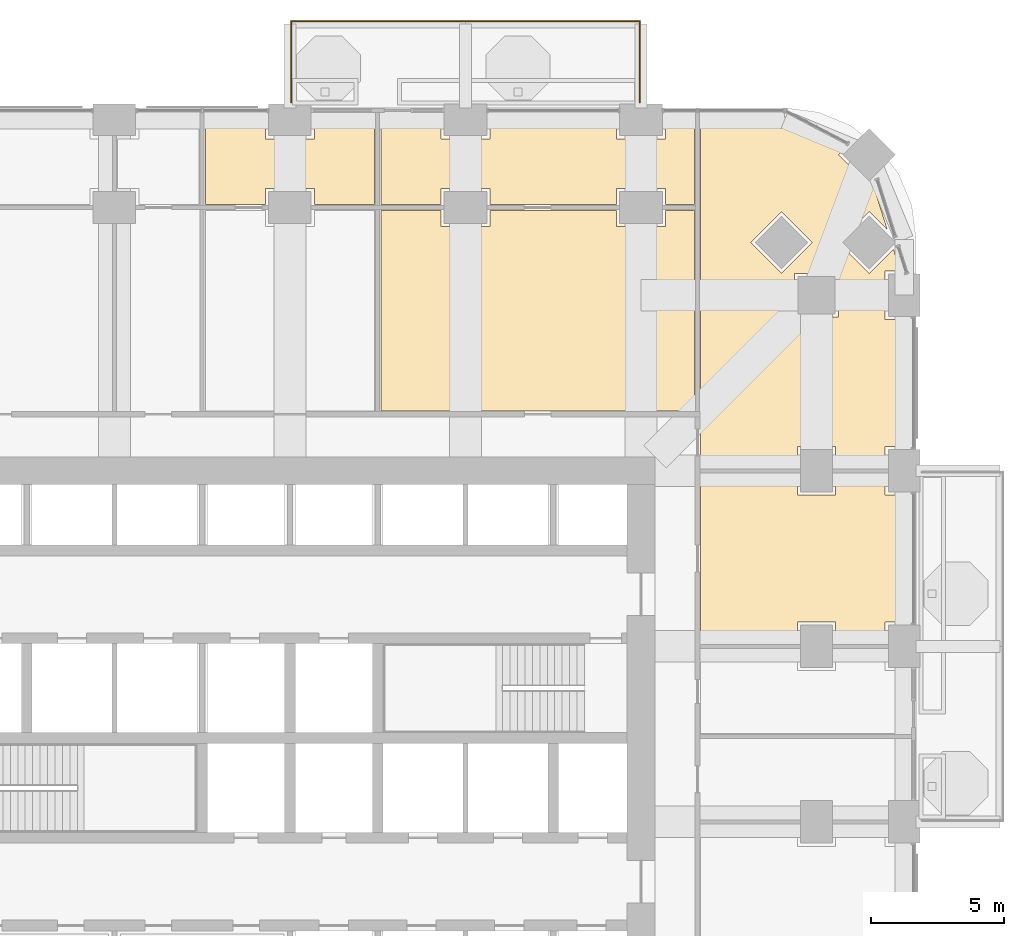
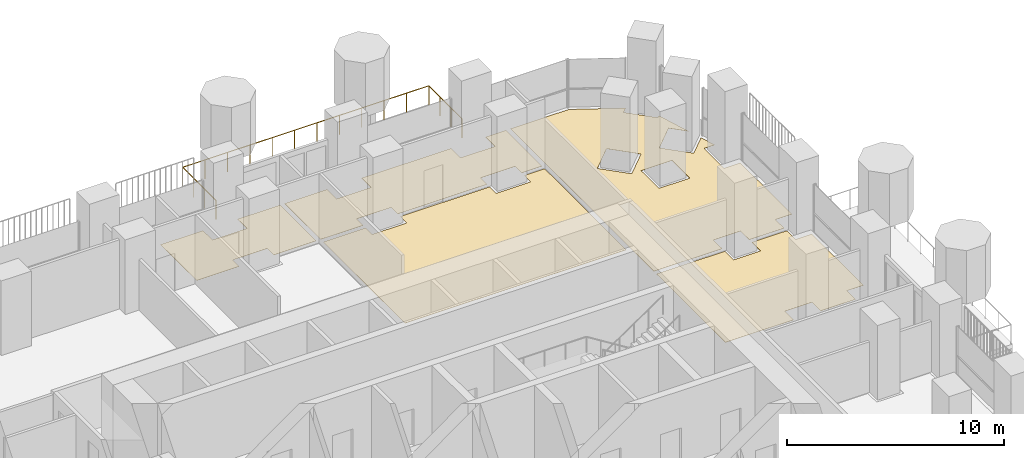
# One storey, part 20 of 21: 5 coverings, 1 railing.
"""IFC4 building model written with IfcOpenShell, lengths in metres."""

from ifc_helpers import new_model, si_unit, direction, frame, origin, place, context, subcontext, project, spatial, polyline, outline, extrude, material, layer, layer_set, type_object, element, save


model = new_model("IFC4")

# Units and contexts
model_context = context("Model", 3, precision=1e-05, world=origin(), true_north=direction((0.0, 1.0)))
body_context = subcontext(model_context, "Body", "Model", "MODEL_VIEW")
ifc_project = project(units=[si_unit("LENGTHUNIT", "METRE"), si_unit("AREAUNIT", "SQUARE_METRE"), si_unit("VOLUMEUNIT", "CUBIC_METRE"), si_unit("PLANEANGLEUNIT", "RADIAN"), si_unit("MASSUNIT", "GRAM", prefix="KILO")], contexts=[model_context])

# Site, building, storey
site_placement = place(None, origin())
site = spatial("IfcSite", under=ifc_project, at=site_placement, CompositionType="ELEMENT")
building_placement = place(site_placement, origin())
building = spatial("IfcBuilding", under=site, at=building_placement, Name="Cobogo Forest Laboratory Tower", CompositionType="ELEMENT")
storey_placement = place(building_placement, frame((0.0, 0.0, 86.39990234375)))
storey = spatial("IfcBuildingStorey", under=building, at=storey_placement, Name="L19", CompositionType="ELEMENT", Elevation=86.39990234375)

# Railing
ifc_material_1 = material(Name="Laminated glass balustrade", Category="glass")
railing_type = type_object("IfcRailingType", Name="BG1 glass balustrade 1100", PredefinedType="GUARDRAIL", material=ifc_material_1)
railing_placement = place(storey_placement, frame((26.449951171875, 46.85009765625, 0.0)))
element("IfcRailing", 1, at=railing_placement, inside=storey, type_object=railing_type, Name="Balcony balustrade BAL-N1 L19", PredefinedType="GUARDRAIL", context=body_context, shape_type="SweptSolid", body=[
    extrude(outline(polyline([(0.022216796875, 0.00927734375), (0.00927734375, 0.022216796875), (-0.00927734375, 0.022216796875), (-0.022216796875, 0.00927734375), (-0.022216796875, -0.00927734375), (-0.00927734375, -0.022216796875), (0.00927734375, -0.022216796875), (0.022216796875, -0.00927734375), (0.022216796875, 0.00927734375)])), frame((0.0, 0.0, 1.077880859375), z_axis=(0.0, 1.0, 0.0), x_axis=(-1.0, 0.0, 0.0)), (0.0, 0.0, 1.0), 3.0498046875),
    extrude(outline(polyline([(0.022216796875, 0.00927734375), (0.00927734375, 0.022216796875), (-0.00927734375, 0.022216796875), (-0.022216796875, 0.00927734375), (-0.022216796875, -0.00927734375), (-0.00927734375, -0.022216796875), (0.00927734375, -0.022216796875), (0.022216796875, -0.00927734375), (0.022216796875, 0.00927734375)])), frame((0.0, 3.0498046875, 1.077880859375), z_axis=(1.0, 0.0, 0.0), x_axis=(0.0, 1.0, 0.0)), (0.0, 0.0, 1.0), 13.10009765625),
    extrude(outline(polyline([(0.022216796875, 0.00927734375), (0.00927734375, 0.022216796875), (-0.00927734375, 0.022216796875), (-0.022216796875, 0.00927734375), (-0.022216796875, -0.00927734375), (-0.00927734375, -0.022216796875), (0.00927734375, -0.022216796875), (0.022216796875, -0.00927734375), (0.022216796875, 0.00927734375)])), frame((13.10009765625, 3.0498046875, 1.077880859375), z_axis=(0.0, -1.0, 0.0), x_axis=(1.0, 0.0, 0.0)), (0.0, 0.0, 1.0), 3.0498046875),
    extrude(outline(polyline([(0.019287109375, 0.008056640625), (0.008056640625, 0.019287109375), (-0.008056640625, 0.019287109375), (-0.019287109375, 0.008056640625), (-0.019287109375, -0.008056640625), (-0.008056640625, -0.019287109375), (0.008056640625, -0.019287109375), (0.019287109375, -0.008056640625), (0.019287109375, 0.008056640625)])), origin(), (0.0, 0.0, 1.0), 1.077880859375),
    extrude(outline(polyline([(0.019287109375, 0.008056640625), (0.008056640625, 0.019287109375), (-0.008056640625, 0.019287109375), (-0.019287109375, 0.008056640625), (-0.019287109375, -0.008056640625), (-0.008056640625, -0.019287109375), (0.008056640625, -0.019287109375), (0.019287109375, -0.008056640625), (0.019287109375, 0.008056640625)])), frame((0.0, 1.0166015625, 0.0)), (0.0, 0.0, 1.0), 1.077880859375),
    extrude(outline(polyline([(0.019287109375, 0.008056640625), (0.008056640625, 0.019287109375), (-0.008056640625, 0.019287109375), (-0.019287109375, 0.008056640625), (-0.019287109375, -0.008056640625), (-0.008056640625, -0.019287109375), (0.008056640625, -0.019287109375), (0.019287109375, -0.008056640625), (0.019287109375, 0.008056640625)])), frame((0.0, 2.033203125, 0.0)), (0.0, 0.0, 1.0), 1.077880859375),
    extrude(outline(polyline([(0.019287109375, 0.008056640625), (0.008056640625, 0.019287109375), (-0.008056640625, 0.019287109375), (-0.019287109375, 0.008056640625), (-0.019287109375, -0.008056640625), (-0.008056640625, -0.019287109375), (0.008056640625, -0.019287109375), (0.019287109375, -0.008056640625), (0.019287109375, 0.008056640625)])), frame((0.0, 3.0498046875, 0.0)), (0.0, 0.0, 1.0), 1.077880859375),
    extrude(outline(polyline([(0.019287109375, 0.008056640625), (0.008056640625, 0.019287109375), (-0.008056640625, 0.019287109375), (-0.019287109375, 0.008056640625), (-0.019287109375, -0.008056640625), (-0.008056640625, -0.019287109375), (0.008056640625, -0.019287109375), (0.019287109375, -0.008056640625), (0.019287109375, 0.008056640625)])), frame((1.19091796875, 3.0498046875, 0.0)), (0.0, 0.0, 1.0), 1.077880859375),
    extrude(outline(polyline([(0.019287109375, 0.008056640625), (0.008056640625, 0.019287109375), (-0.008056640625, 0.019287109375), (-0.019287109375, 0.008056640625), (-0.019287109375, -0.008056640625), (-0.008056640625, -0.019287109375), (0.008056640625, -0.019287109375), (0.019287109375, -0.008056640625), (0.019287109375, 0.008056640625)])), frame((2.3818359375, 3.0498046875, 0.0)), (0.0, 0.0, 1.0), 1.077880859375),
    extrude(outline(polyline([(0.019287109375, 0.008056640625), (0.008056640625, 0.019287109375), (-0.008056640625, 0.019287109375), (-0.019287109375, 0.008056640625), (-0.019287109375, -0.008056640625), (-0.008056640625, -0.019287109375), (0.008056640625, -0.019287109375), (0.019287109375, -0.008056640625), (0.019287109375, 0.008056640625)])), frame((3.57275390625, 3.0498046875, 0.0)), (0.0, 0.0, 1.0), 1.077880859375),
    extrude(outline(polyline([(0.019287109375, 0.008056640625), (0.008056640625, 0.019287109375), (-0.008056640625, 0.019287109375), (-0.019287109375, 0.008056640625), (-0.019287109375, -0.008056640625), (-0.008056640625, -0.019287109375), (0.008056640625, -0.019287109375), (0.019287109375, -0.008056640625), (0.019287109375, 0.008056640625)])), frame((4.763671875, 3.0498046875, 0.0)), (0.0, 0.0, 1.0), 1.077880859375),
    extrude(outline(polyline([(0.019287109375, 0.008056640625), (0.008056640625, 0.019287109375), (-0.008056640625, 0.019287109375), (-0.019287109375, 0.008056640625), (-0.019287109375, -0.008056640625), (-0.008056640625, -0.019287109375), (0.008056640625, -0.019287109375), (0.019287109375, -0.008056640625), (0.019287109375, 0.008056640625)])), frame((5.95458984375, 3.0498046875, 0.0)), (0.0, 0.0, 1.0), 1.077880859375),
    extrude(outline(polyline([(0.019287109375, 0.008056640625), (0.008056640625, 0.019287109375), (-0.008056640625, 0.019287109375), (-0.019287109375, 0.008056640625), (-0.019287109375, -0.008056640625), (-0.008056640625, -0.019287109375), (0.008056640625, -0.019287109375), (0.019287109375, -0.008056640625), (0.019287109375, 0.008056640625)])), frame((7.1455078125, 3.0498046875, 0.0)), (0.0, 0.0, 1.0), 1.077880859375),
    extrude(outline(polyline([(0.019287109375, 0.008056640625), (0.008056640625, 0.019287109375), (-0.008056640625, 0.019287109375), (-0.019287109375, 0.008056640625), (-0.019287109375, -0.008056640625), (-0.008056640625, -0.019287109375), (0.008056640625, -0.019287109375), (0.019287109375, -0.008056640625), (0.019287109375, 0.008056640625)])), frame((8.33642578125, 3.0498046875, 0.0)), (0.0, 0.0, 1.0), 1.077880859375),
    extrude(outline(polyline([(0.019287109375, 0.008056640625), (0.008056640625, 0.019287109375), (-0.008056640625, 0.019287109375), (-0.019287109375, 0.008056640625), (-0.019287109375, -0.008056640625), (-0.008056640625, -0.019287109375), (0.008056640625, -0.019287109375), (0.019287109375, -0.008056640625), (0.019287109375, 0.008056640625)])), frame((9.52734375, 3.0498046875, 0.0)), (0.0, 0.0, 1.0), 1.077880859375),
    extrude(outline(polyline([(0.019287109375, 0.008056640625), (0.008056640625, 0.019287109375), (-0.008056640625, 0.019287109375), (-0.019287109375, 0.008056640625), (-0.019287109375, -0.008056640625), (-0.008056640625, -0.019287109375), (0.008056640625, -0.019287109375), (0.019287109375, -0.008056640625), (0.019287109375, 0.008056640625)])), frame((10.71826171875, 3.0498046875, 0.0)), (0.0, 0.0, 1.0), 1.077880859375),
    extrude(outline(polyline([(0.019287109375, 0.008056640625), (0.008056640625, 0.019287109375), (-0.008056640625, 0.019287109375), (-0.019287109375, 0.008056640625), (-0.019287109375, -0.008056640625), (-0.008056640625, -0.019287109375), (0.008056640625, -0.019287109375), (0.019287109375, -0.008056640625), (0.019287109375, 0.008056640625)])), frame((11.9091796875, 3.0498046875, 0.0)), (0.0, 0.0, 1.0), 1.077880859375),
    extrude(outline(polyline([(0.019287109375, 0.008056640625), (0.008056640625, 0.019287109375), (-0.008056640625, 0.019287109375), (-0.019287109375, 0.008056640625), (-0.019287109375, -0.008056640625), (-0.008056640625, -0.019287109375), (0.008056640625, -0.019287109375), (0.019287109375, -0.008056640625), (0.019287109375, 0.008056640625)])), frame((13.10009765625, 3.0498046875, 0.0)), (0.0, 0.0, 1.0), 1.077880859375),
    extrude(outline(polyline([(0.019287109375, 0.008056640625), (0.008056640625, 0.019287109375), (-0.008056640625, 0.019287109375), (-0.019287109375, 0.008056640625), (-0.019287109375, -0.008056640625), (-0.008056640625, -0.019287109375), (0.008056640625, -0.019287109375), (0.019287109375, -0.008056640625), (0.019287109375, 0.008056640625)])), frame((13.10009765625, 2.033203125, 0.0)), (0.0, 0.0, 1.0), 1.077880859375),
    extrude(outline(polyline([(0.019287109375, 0.008056640625), (0.008056640625, 0.019287109375), (-0.008056640625, 0.019287109375), (-0.019287109375, 0.008056640625), (-0.019287109375, -0.008056640625), (-0.008056640625, -0.019287109375), (0.008056640625, -0.019287109375), (0.019287109375, -0.008056640625), (0.019287109375, 0.008056640625)])), frame((13.10009765625, 1.0166015625, 0.0)), (0.0, 0.0, 1.0), 1.077880859375),
    extrude(outline(polyline([(0.019287109375, 0.008056640625), (0.008056640625, 0.019287109375), (-0.008056640625, 0.019287109375), (-0.019287109375, 0.008056640625), (-0.019287109375, -0.008056640625), (-0.008056640625, -0.019287109375), (0.008056640625, -0.019287109375), (0.019287109375, -0.008056640625), (0.019287109375, 0.008056640625)])), frame((13.10009765625, 0.0, 0.0)), (0.0, 0.0, 1.0), 1.077880859375),
])

# Coverings
ifc_material_2 = material(Name="Carpet tile on raised access floor", Category="flooring")
ifc_layer_1 = layer(ifc_material_2, 0.008056640625)
ifc_layer_set_1 = layer_set([ifc_layer_1], Name="CT1 carpet tile floor 8")
covering_type_1 = type_object("IfcCoveringType", Name="CT1 carpet tile floor 8", PredefinedType="FLOORING", material=ifc_layer_set_1)
covering_1_placement = place(storey_placement, origin())
element("IfcCovering", 2, at=covering_1_placement, inside=storey, type_object=covering_type_1, Name="Carpet floor L19-13", PredefinedType="FLOORING", context=body_context, shape_type="SweptSolid", body=[
    extrude(outline(polyline([(41.844970703125, 32.8798828125), (45.47998046875, 32.8798828125), (45.47998046875, 32.080078125), (46.919921875, 32.080078125), (46.919921875, 32.8798828125), (48.780029296875, 32.8798828125), (48.780029296875, 32.080078125), (49.64990234375, 32.080078125), (49.64990234375, 27.320068359375), (48.780029296875, 27.320068359375), (48.780029296875, 26.52001953125), (46.919921875, 26.52001953125), (46.919921875, 27.320068359375), (45.47998046875, 27.320068359375), (45.47998046875, 26.52001953125), (41.844970703125, 26.52001953125), (41.844970703125, 32.8798828125)])), origin(), (0.0, 0.0, 1.0), 0.008056640625),
])
covering_2_placement = place(storey_placement, origin())
element("IfcCovering", 3, at=covering_2_placement, inside=storey, type_object=covering_type_1, Name="Carpet floor L19-14", PredefinedType="FLOORING", context=body_context, shape_type="SweptSolid", body=[
    extrude(outline(polyline([(41.844970703125, 46.35009765625), (44.95068359375, 46.35009765625), (47.27294921875, 45.132568359375), (47.022216796875, 44.882080078125), (48.181884765625, 43.722412109375), (48.30078125, 43.84130859375), (48.86328125, 42.060302734375), (48.181884765625, 42.74169921875), (47.022216796875, 41.58203125), (48.181884765625, 40.42236328125), (49.093017578125, 41.333251953125), (49.349853515625, 40.52001953125), (48.780029296875, 40.52001953125), (48.780029296875, 38.679931640625), (49.64990234375, 38.679931640625), (49.64990234375, 33.919921875), (48.780029296875, 33.919921875), (48.780029296875, 33.1201171875), (46.919921875, 33.1201171875), (46.919921875, 33.919921875), (45.47998046875, 33.919921875), (45.47998046875, 33.1201171875), (41.844970703125, 33.1201171875), (41.844970703125, 46.35009765625)]), holes=[polyline([(45.3798828125, 40.419921875), (45.3798828125, 38.780029296875), (47.02001953125, 38.780029296875), (47.02001953125, 40.419921875), (45.3798828125, 40.419921875)]), polyline([(43.722412109375, 41.58203125), (44.882080078125, 40.42236328125), (46.041748046875, 41.58203125), (44.882080078125, 42.74169921875), (43.722412109375, 41.58203125)])]), origin(), (0.0, 0.0, 1.0), 0.008056640625),
])
covering_3_placement = place(storey_placement, origin())
element("IfcCovering", 4, at=covering_3_placement, inside=storey, type_object=covering_type_1, Name="Carpet floor L19-20", PredefinedType="FLOORING", context=body_context, shape_type="SweptSolid", body=[
    extrude(outline(polyline([(27.320068359375, 43.02001953125), (27.320068359375, 43.6201171875), (25.47998046875, 43.6201171875), (25.47998046875, 43.02001953125), (23.219970703125, 43.02001953125), (23.219970703125, 46.35009765625), (25.47998046875, 46.35009765625), (25.47998046875, 45.47998046875), (27.320068359375, 45.47998046875), (27.320068359375, 46.35009765625), (29.580078125, 46.35009765625), (29.580078125, 43.02001953125), (27.320068359375, 43.02001953125)])), origin(), (0.0, 0.0, 1.0), 0.008056640625),
])
covering_4_placement = place(storey_placement, origin())
element("IfcCovering", 5, at=covering_4_placement, inside=storey, type_object=covering_type_1, Name="Carpet floor L19-22", PredefinedType="FLOORING", context=body_context, shape_type="SweptSolid", body=[
    extrude(outline(polyline([(40.52001953125, 43.02001953125), (40.52001953125, 43.6201171875), (38.679931640625, 43.6201171875), (38.679931640625, 43.02001953125), (33.919921875, 43.02001953125), (33.919921875, 43.6201171875), (32.080078125, 43.6201171875), (32.080078125, 43.02001953125), (29.820068359375, 43.02001953125), (29.820068359375, 46.35009765625), (32.080078125, 46.35009765625), (32.080078125, 45.47998046875), (33.919921875, 45.47998046875), (33.919921875, 46.35009765625), (38.679931640625, 46.35009765625), (38.679931640625, 45.47998046875), (40.52001953125, 45.47998046875), (40.52001953125, 46.35009765625), (41.60498046875, 46.35009765625), (41.60498046875, 43.02001953125), (40.52001953125, 43.02001953125)])), origin(), (0.0, 0.0, 1.0), 0.008056640625),
])
ifc_material_3 = material(Name="Ceramic floor tile", Category="flooring")
ifc_layer_2 = layer(ifc_material_3, 0.010009765625)
ifc_layer_set_2 = layer_set([ifc_layer_2], Name="TF1 ceramic tile floor 10")
covering_type_2 = type_object("IfcCoveringType", Name="TF1 ceramic tile floor 10", PredefinedType="FLOORING", material=ifc_layer_set_2)
covering_5_placement = place(storey_placement, origin())
element("IfcCovering", 6, at=covering_5_placement, inside=storey, type_object=covering_type_2, Name="Tile floor L19-21", PredefinedType="FLOORING", context=body_context, shape_type="SweptSolid", body=[
    extrude(outline(polyline([(29.820068359375, 42.780029296875), (32.080078125, 42.780029296875), (32.080078125, 42.179931640625), (33.919921875, 42.179931640625), (33.919921875, 42.780029296875), (38.679931640625, 42.780029296875), (38.679931640625, 42.179931640625), (40.52001953125, 42.179931640625), (40.52001953125, 42.780029296875), (41.60498046875, 42.780029296875), (41.60498046875, 35.2451171875), (29.820068359375, 35.2451171875), (29.820068359375, 42.780029296875)])), origin(), (0.0, 0.0, 1.0), 0.010009765625),
])

save(model, "model.ifc")
